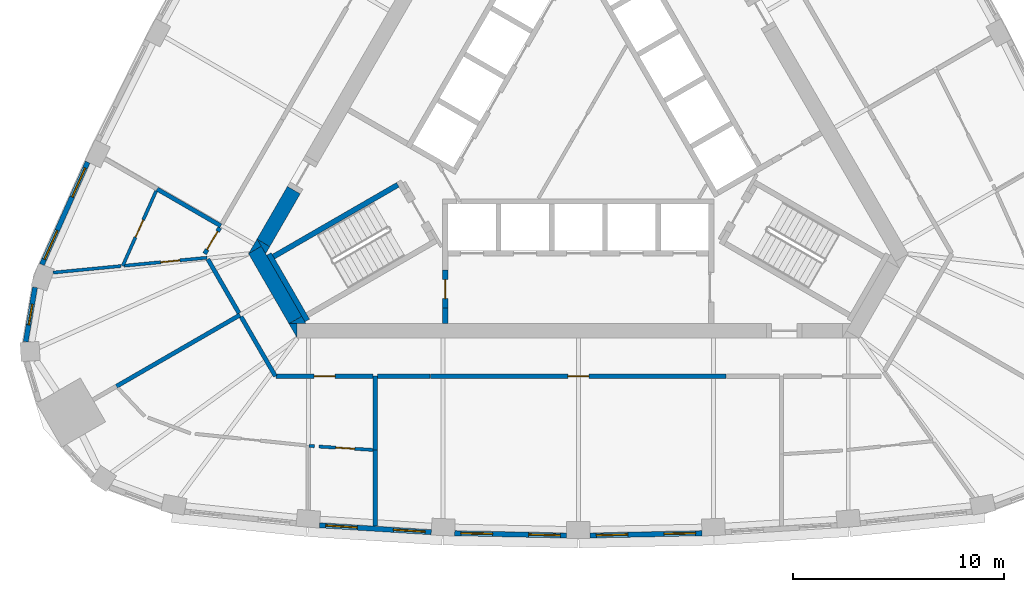
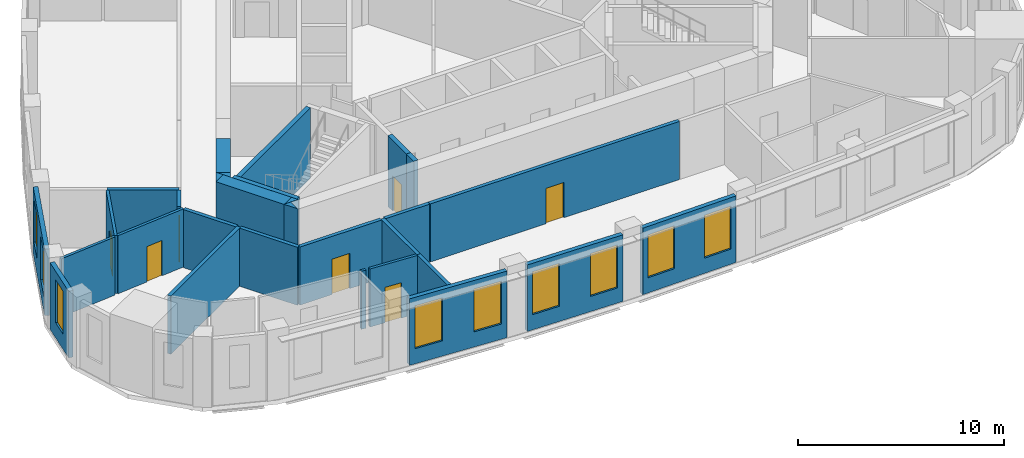
# One storey, part 3 of 10: 30 walls, 9 windows, 7 doors, 16 openings.
"""IFC4 building model written with IfcOpenShell, lengths in metres."""

from ifc_helpers import new_model, si_unit, direction, frame, frame_2d, origin, place, context, subcontext, project, spatial, polyline, rectangle, outline, extrude, material, layer, layer_set, type_object, element, fill, save


model = new_model("IFC4")

# Units and contexts
model_context = context("Model", 3, precision=1e-05, world=origin(), true_north=direction((0.0, 1.0)))
body_context = subcontext(model_context, "Body", "Model", "MODEL_VIEW")
ifc_project = project(units=[si_unit("LENGTHUNIT", "METRE"), si_unit("AREAUNIT", "SQUARE_METRE"), si_unit("VOLUMEUNIT", "CUBIC_METRE"), si_unit("PLANEANGLEUNIT", "RADIAN"), si_unit("MASSUNIT", "GRAM", prefix="KILO")], contexts=[model_context])

# Site, building, storey
site_placement = place(None, origin())
site = spatial("IfcSite", under=ifc_project, at=site_placement, CompositionType="ELEMENT")
building_placement = place(site_placement, origin())
building = spatial("IfcBuilding", under=site, at=building_placement, Name="Mestral Congress Tower", CompositionType="ELEMENT")
storey_placement = place(building_placement, frame((0.0, 0.0, 239.39990234375)))
storey = spatial("IfcBuildingStorey", under=building, at=storey_placement, Name="L56", CompositionType="ELEMENT", Elevation=239.39990234375)

# Walls
ifc_material_1 = material(Name="Concrete C60/75", Category="concrete")
ifc_layer_1 = layer(ifc_material_1, 0.699951171875)
ifc_layer_set_1 = layer_set([ifc_layer_1], Name="Concrete C60/75")
wall_type_1 = type_object("IfcWallType", Name="Core wall RC 700", PredefinedType="SOLIDWALL", material=ifc_layer_set_1)
placement = place(storey_placement, origin())
element("IfcWall", 1, at=placement, inside=storey, type_object=wall_type_1, Name="L56 core wall", PredefinedType="SOLIDWALL", context=body_context, shape_type="SweptSolid", body=[
    extrude(outline(polyline([(-13.7119140625, -9.64990234375), (-13.323974609375, -9.64990234375), (-13.323974609375, -10.322021484375), (-13.7119140625, -9.64990234375)])), origin(), (0.0, 0.0, 1.0), 4.2001953125),
])
wall_2_placement = place(storey_placement, frame((-13.40185546875, -9.4873046875, 0.0), z_axis=(0.0, 0.0, 1.0), x_axis=(-0.500020498207, 0.866013568815, 0.0)))
element("IfcWall", 2, at=wall_2_placement, inside=storey, type_object=wall_type_1, Name="L56 core wall", PredefinedType="SOLIDWALL", context=body_context, shape_type="SweptSolid", body=[
    extrude(rectangle(XDim=3.828857421875, YDim=0.699951171875, at=frame_2d((1.91455078125, 0.0))), origin(), (0.0, 0.0, 1.0), 4.2001953125),
])
element("IfcWall", 3, at=placement, inside=storey, type_object=wall_type_1, Name="L56 core wall", PredefinedType="SOLIDWALL", context=body_context, shape_type="SweptSolid", body=[
    extrude(outline(polyline([(-15.01416015625, -5.99462890625), (-15.611083984375, -6.33935546875), (-15.213134765625, -5.64990234375), (-15.01416015625, -5.99462890625)])), origin(), (0.0, 0.0, 1.0), 4.2001953125),
])
element("IfcWall", 4, at=placement, inside=storey, type_object=wall_type_1, Name="L56 core wall", PredefinedType="SOLIDWALL", context=body_context, shape_type="SweptSolid", body=[
    extrude(outline(polyline([(-12.90380859375, -9.64990234375), (-13.6796875, -9.64990234375), (-13.097900390625, -9.31396484375), (-12.90380859375, -9.64990234375)])), origin(), (0.0, 0.0, 1.0), 4.2001953125),
])
wall_5_placement = place(storey_placement, frame((-13.47509765625, -3.33935546875, 0.0), z_axis=(0.0, 0.0, 1.0), x_axis=(-0.499944726303, -0.866057313716, 0.0)))
element("IfcWall", 5, at=wall_5_placement, inside=storey, type_object=wall_type_1, Name="L56 core wall", PredefinedType="SOLIDWALL", context=body_context, shape_type="SweptSolid", body=[
    extrude(rectangle(XDim=2.884033203125, YDim=0.699951171875, at=frame_2d((1.44189453125, 0.0))), origin(), (0.0, 0.0, 1.0), 4.2001953125),
])
element("IfcWall", 6, at=placement, inside=storey, type_object=wall_type_1, Name="L56 core wall", PredefinedType="SOLIDWALL", context=body_context, shape_type="SweptSolid", body=[
    extrude(outline(polyline([(-14.80908203125, -6.35009765625), (-15.197021484375, -5.677978515625), (-14.614990234375, -6.013916015625), (-14.80908203125, -6.35009765625)])), origin(), (0.0, 0.0, 1.0), 4.2001953125),
])

# Wall, openings, windows
ifc_material_2 = material(Name="Precast concrete C40/50 with limestone facing", Category="masonry")
ifc_layer_2 = layer(ifc_material_2, 0.239990234375)
ifc_layer_set_2 = layer_set([ifc_layer_2], Name="Precast concrete C40/50 with limestone facing")
wall_type_2 = type_object("IfcWallType", Name="Facade stone wall 240", PredefinedType="SOLIDWALL", material=ifc_layer_set_2)
wall_7_placement = place(storey_placement, frame((-12.253173828125, -19.21337890625, 0.0), z_axis=(0.0, 0.0, 1.0), x_axis=(0.9980633213, -0.062206162685, 0.0)))
wall_7 = element("IfcWall", 7, at=wall_7_placement, inside=storey, type_object=wall_type_2, Name="Facade wall F0-01", PredefinedType="SOLIDWALL", context=body_context, shape_type="SweptSolid", body=[
    extrude(rectangle(XDim=5.29833984375, YDim=0.239990234375, at=frame_2d((2.649169921875, 0.0))), origin(), (0.0, 0.0, 1.0), 3.9501953125),
])
opening_1_placement = place(wall_7_placement, frame((0.29443359375, 0.0, 0.89990234375)))
opening_1 = element("IfcOpeningElement", 8, at=opening_1_placement, cuts=wall_7, Name="Opening W4", PredefinedType="OPENING", context=body_context, shape_type="SweptSolid", body=[
    extrude(rectangle(XDim=1.5, YDim=2.550048828125, at=frame_2d((0.75, 1.27490234375))), frame((0.0, 0.1298828125, 0.0), z_axis=(0.0, -1.0, 0.0), x_axis=(1.0, 0.0, 0.0)), (0.0, 0.0, 1.0), 0.260009765625),
])
opening_2_placement = place(wall_7_placement, frame((3.503662109375, 0.0, 0.89990234375)))
opening_2 = element("IfcOpeningElement", 9, at=opening_2_placement, cuts=wall_7, Name="Opening W4", PredefinedType="OPENING", context=body_context, shape_type="SweptSolid", body=[
    extrude(rectangle(XDim=1.5, YDim=2.550048828125, at=frame_2d((0.75, 1.27490234375))), frame((0.0, 0.1298828125, 0.0), z_axis=(0.0, -1.0, 0.0), x_axis=(1.0, 0.0, 0.0)), (0.0, 0.0, 1.0), 0.260009765625),
])
ifc_material_3 = material(Name="Clear low-emissivity double glazing", Category="glass")
window_type_1 = type_object("IfcWindowType", Name="Facade punched window 1500 x 2550 sill 900", PartitioningType="SINGLE_PANEL", PredefinedType="WINDOW", material=ifc_material_3)
window_1_placement = place(opening_1_placement, origin())
window_1 = element("IfcWindow", 10, at=window_1_placement, inside=storey, type_object=window_type_1, Name="Window F0-01a", OverallHeight=2.550048828125, OverallWidth=1.5, PartitioningType="SINGLE_PANEL", PredefinedType="WINDOW", context=body_context, shape_type="SweptSolid", body=[
    extrude(rectangle(XDim=1.5, YDim=2.550048828125, at=frame_2d((0.75, 1.27490234375))), frame((0.0, 0.0400390625, 0.0), z_axis=(0.0, -1.0, 0.0), x_axis=(1.0, 0.0, 0.0)), (0.0, 0.0, 1.0), 0.06005859375),
])
fill(opening_1, window_1)
window_2_placement = place(opening_2_placement, origin())
window_2 = element("IfcWindow", 11, at=window_2_placement, inside=storey, type_object=window_type_1, Name="Window F0-01b", OverallHeight=2.550048828125, OverallWidth=1.5, PartitioningType="SINGLE_PANEL", PredefinedType="WINDOW", context=body_context, shape_type="SweptSolid", body=[
    extrude(rectangle(XDim=1.5, YDim=2.550048828125, at=frame_2d((0.75, 1.27490234375))), frame((0.0, 0.0400390625, 0.0), z_axis=(0.0, -1.0, 0.0), x_axis=(1.0, 0.0, 0.0)), (0.0, 0.0, 1.0), 0.06005859375),
])
fill(opening_2, window_2)

wall_8_placement = place(storey_placement, frame((-5.853515625, -19.589111328125, 0.0), z_axis=(0.0, 0.0, 1.0), x_axis=(0.999784035184, -0.020781794712, 0.0)))
wall_8 = element("IfcWall", 12, at=wall_8_placement, inside=storey, type_object=wall_type_2, Name="Facade wall F0-02", PredefinedType="SOLIDWALL", context=body_context, shape_type="SweptSolid", body=[
    extrude(rectangle(XDim=5.29833984375, YDim=0.239990234375, at=frame_2d((2.649169921875, 0.0))), origin(), (0.0, 0.0, 1.0), 3.9501953125),
])
opening_3_placement = place(wall_8_placement, frame((0.29443359375, 0.0, 0.89990234375)))
opening_3 = element("IfcOpeningElement", 13, at=opening_3_placement, cuts=wall_8, Name="Opening W4", PredefinedType="OPENING", context=body_context, shape_type="SweptSolid", body=[
    extrude(rectangle(XDim=1.5, YDim=2.550048828125, at=frame_2d((0.75, 1.27490234375))), frame((0.0, 0.1298828125, 0.0), z_axis=(0.0, -1.0, 0.0), x_axis=(1.0, 0.0, 0.0)), (0.0, 0.0, 1.0), 0.260009765625),
])
opening_4_placement = place(wall_8_placement, frame((3.503662109375, 0.0, 0.89990234375)))
opening_4 = element("IfcOpeningElement", 14, at=opening_4_placement, cuts=wall_8, Name="Opening W4", PredefinedType="OPENING", context=body_context, shape_type="SweptSolid", body=[
    extrude(rectangle(XDim=1.5, YDim=2.550048828125, at=frame_2d((0.75, 1.27490234375))), frame((0.0, 0.1298828125, 0.0), z_axis=(0.0, -1.0, 0.0), x_axis=(1.0, 0.0, 0.0)), (0.0, 0.0, 1.0), 0.260009765625),
])
window_3_placement = place(opening_3_placement, origin())
window_3 = element("IfcWindow", 15, at=window_3_placement, inside=storey, type_object=window_type_1, Name="Window F0-02a", OverallHeight=2.550048828125, OverallWidth=1.5, PartitioningType="SINGLE_PANEL", PredefinedType="WINDOW", context=body_context, shape_type="SweptSolid", body=[
    extrude(rectangle(XDim=1.5, YDim=2.550048828125, at=frame_2d((0.75, 1.27490234375))), frame((0.0, 0.0400390625, 0.0), z_axis=(0.0, -1.0, 0.0), x_axis=(1.0, 0.0, 0.0)), (0.0, 0.0, 1.0), 0.06005859375),
])
fill(opening_3, window_3)
window_4_placement = place(opening_4_placement, origin())
window_4 = element("IfcWindow", 16, at=window_4_placement, inside=storey, type_object=window_type_1, Name="Window F0-02b", OverallHeight=2.550048828125, OverallWidth=1.5, PartitioningType="SINGLE_PANEL", PredefinedType="WINDOW", context=body_context, shape_type="SweptSolid", body=[
    extrude(rectangle(XDim=1.5, YDim=2.550048828125, at=frame_2d((0.75, 1.27490234375))), frame((0.0, 0.0400390625, 0.0), z_axis=(0.0, -1.0, 0.0), x_axis=(1.0, 0.0, 0.0)), (0.0, 0.0, 1.0), 0.06005859375),
])
fill(opening_4, window_4)

wall_9_placement = place(storey_placement, frame((0.556396484375, -19.69921875, 0.0), z_axis=(0.0, 0.0, 1.0), x_axis=(0.999784035184, 0.020781794712, 0.0)))
wall_9 = element("IfcWall", 17, at=wall_9_placement, inside=storey, type_object=wall_type_2, Name="Facade wall F0-03", PredefinedType="SOLIDWALL", context=body_context, shape_type="SweptSolid", body=[
    extrude(rectangle(XDim=5.29833984375, YDim=0.239990234375, at=frame_2d((2.649169921875, 0.0))), origin(), (0.0, 0.0, 1.0), 3.9501953125),
])
opening_5_placement = place(wall_9_placement, frame((0.29443359375, 0.0, 0.89990234375)))
opening_5 = element("IfcOpeningElement", 18, at=opening_5_placement, cuts=wall_9, Name="Opening W4", PredefinedType="OPENING", context=body_context, shape_type="SweptSolid", body=[
    extrude(rectangle(XDim=1.5, YDim=2.550048828125, at=frame_2d((0.75, 1.27490234375))), frame((0.0, 0.1298828125, 0.0), z_axis=(0.0, -1.0, 0.0), x_axis=(1.0, 0.0, 0.0)), (0.0, 0.0, 1.0), 0.260009765625),
])
opening_6_placement = place(wall_9_placement, frame((3.503662109375, 0.0, 0.89990234375)))
opening_6 = element("IfcOpeningElement", 19, at=opening_6_placement, cuts=wall_9, Name="Opening W4", PredefinedType="OPENING", context=body_context, shape_type="SweptSolid", body=[
    extrude(rectangle(XDim=1.5, YDim=2.550048828125, at=frame_2d((0.75, 1.27490234375))), frame((0.0, 0.1298828125, 0.0), z_axis=(0.0, -1.0, 0.0), x_axis=(1.0, 0.0, 0.0)), (0.0, 0.0, 1.0), 0.260009765625),
])
window_5_placement = place(opening_5_placement, origin())
window_5 = element("IfcWindow", 20, at=window_5_placement, inside=storey, type_object=window_type_1, Name="Window F0-03a", OverallHeight=2.550048828125, OverallWidth=1.5, PartitioningType="SINGLE_PANEL", PredefinedType="WINDOW", context=body_context, shape_type="SweptSolid", body=[
    extrude(rectangle(XDim=1.5, YDim=2.550048828125, at=frame_2d((0.75, 1.27490234375))), frame((0.0, 0.0400390625, 0.0), z_axis=(0.0, -1.0, 0.0), x_axis=(1.0, 0.0, 0.0)), (0.0, 0.0, 1.0), 0.06005859375),
])
fill(opening_5, window_5)
window_6_placement = place(opening_6_placement, origin())
window_6 = element("IfcWindow", 21, at=window_6_placement, inside=storey, type_object=window_type_1, Name="Window F0-03b", OverallHeight=2.550048828125, OverallWidth=1.5, PartitioningType="SINGLE_PANEL", PredefinedType="WINDOW", context=body_context, shape_type="SweptSolid", body=[
    extrude(rectangle(XDim=1.5, YDim=2.550048828125, at=frame_2d((0.75, 1.27490234375))), frame((0.0, 0.0400390625, 0.0), z_axis=(0.0, -1.0, 0.0), x_axis=(1.0, 0.0, 0.0)), (0.0, 0.0, 1.0), 0.06005859375),
])
fill(opening_6, window_6)

wall_10_placement = place(storey_placement, frame((-23.240478515625, -2.01123046875, 0.0), z_axis=(0.0, 0.0, 1.0), x_axis=(-0.407579651789, -0.913169659728, 0.0)))
wall_10 = element("IfcWall", 22, at=wall_10_placement, inside=storey, type_object=wall_type_2, Name="Facade wall F2-05", PredefinedType="SOLIDWALL", context=body_context, shape_type="SweptSolid", body=[
    extrude(rectangle(XDim=5.310791015625, YDim=0.239990234375, at=frame_2d((2.6552734375, 0.0))), origin(), (0.0, 0.0, 1.0), 3.9501953125),
])
opening_7_placement = place(wall_10_placement, frame((0.306396484375, 0.0, 0.89990234375)))
opening_7 = element("IfcOpeningElement", 23, at=opening_7_placement, cuts=wall_10, Name="Opening W4", PredefinedType="OPENING", context=body_context, shape_type="SweptSolid", body=[
    extrude(rectangle(XDim=1.5, YDim=2.550048828125, at=frame_2d((0.75, 1.27490234375))), frame((0.0, 0.1298828125, 0.0), z_axis=(0.0, -1.0, 0.0), x_axis=(1.0, 0.0, 0.0)), (0.0, 0.0, 1.0), 0.260009765625),
])
opening_8_placement = place(wall_10_placement, frame((3.539306640625, 0.0, 0.89990234375)))
opening_8 = element("IfcOpeningElement", 24, at=opening_8_placement, cuts=wall_10, Name="Opening W4", PredefinedType="OPENING", context=body_context, shape_type="SweptSolid", body=[
    extrude(rectangle(XDim=1.5, YDim=2.550048828125, at=frame_2d((0.75, 1.27490234375))), frame((0.0, 0.1298828125, 0.0), z_axis=(0.0, -1.0, 0.0), x_axis=(1.0, 0.0, 0.0)), (0.0, 0.0, 1.0), 0.260009765625),
])
window_7_placement = place(opening_7_placement, origin())
window_7 = element("IfcWindow", 25, at=window_7_placement, inside=storey, type_object=window_type_1, Name="Window F2-05a", OverallHeight=2.550048828125, OverallWidth=1.5, PartitioningType="SINGLE_PANEL", PredefinedType="WINDOW", context=body_context, shape_type="SweptSolid", body=[
    extrude(rectangle(XDim=1.5, YDim=2.550048828125, at=frame_2d((0.75, 1.27490234375))), frame((0.0, 0.0400390625, 0.0), z_axis=(0.0, -1.0, 0.0), x_axis=(1.0, 0.0, 0.0)), (0.0, 0.0, 1.0), 0.06005859375),
])
fill(opening_7, window_7)
window_8_placement = place(opening_8_placement, origin())
window_8 = element("IfcWindow", 26, at=window_8_placement, inside=storey, type_object=window_type_1, Name="Window F2-05b", OverallHeight=2.550048828125, OverallWidth=1.5, PartitioningType="SINGLE_PANEL", PredefinedType="WINDOW", context=body_context, shape_type="SweptSolid", body=[
    extrude(rectangle(XDim=1.5, YDim=2.550048828125, at=frame_2d((0.75, 1.27490234375))), frame((0.0, 0.0400390625, 0.0), z_axis=(0.0, -1.0, 0.0), x_axis=(1.0, 0.0, 0.0)), (0.0, 0.0, 1.0), 0.06005859375),
])
fill(opening_8, window_8)

# Wall, opening, window
wall_11_placement = place(storey_placement, frame((-25.734130859375, -7.94482421875, 0.0), z_axis=(0.0, 0.0, 1.0), x_axis=(-0.167660055546, -0.985844869021, 0.0)))
wall_11 = element("IfcWall", 27, at=wall_11_placement, inside=storey, type_object=wall_type_2, Name="Facade wall K2-0", PredefinedType="SOLIDWALL", context=body_context, shape_type="SweptSolid", body=[
    extrude(rectangle(XDim=2.609375, YDim=0.239990234375, at=frame_2d((1.3046875, 0.0))), origin(), (0.0, 0.0, 1.0), 3.9501953125),
])
opening_9_placement = place(wall_11_placement, frame((0.8046875, 0.0, 0.89990234375)))
opening_9 = element("IfcOpeningElement", 28, at=opening_9_placement, cuts=wall_11, Name="Opening W5", PredefinedType="OPENING", context=body_context, shape_type="SweptSolid", body=[
    extrude(rectangle(XDim=1.0, YDim=2.550048828125, at=frame_2d((0.5, 1.27490234375))), frame((0.0, 0.1298828125, 0.0), z_axis=(0.0, -1.0, 0.0), x_axis=(1.0, 0.0, 0.0)), (0.0, 0.0, 1.0), 0.260009765625),
])
window_type_2 = type_object("IfcWindowType", Name="Facade punched window 1000 x 2550 sill 900", PartitioningType="SINGLE_PANEL", PredefinedType="WINDOW", material=ifc_material_3)
window_9_placement = place(opening_9_placement, origin())
window_9 = element("IfcWindow", 29, at=window_9_placement, inside=storey, type_object=window_type_2, Name="Window K2-0", OverallHeight=2.550048828125, OverallWidth=1.0, PartitioningType="SINGLE_PANEL", PredefinedType="WINDOW", context=body_context, shape_type="SweptSolid", body=[
    extrude(rectangle(XDim=1.0, YDim=2.550048828125, at=frame_2d((0.5, 1.27490234375))), frame((0.0, 0.0400390625, 0.0), z_axis=(0.0, -1.0, 0.0), x_axis=(1.0, 0.0, 0.0)), (0.0, 0.0, 1.0), 0.06005859375),
])
fill(opening_9, window_9)

# Wall, opening, door
ifc_material_4 = material(Name="Plasterboard partition on steel studs", Category="steel")
ifc_layer_3 = layer(ifc_material_4, 0.14990234375)
ifc_layer_set_3 = layer_set([ifc_layer_3], Name="Plasterboard partition on steel studs")
wall_type_3 = type_object("IfcWallType", Name="Office partition 150", PredefinedType="PARTITIONING", material=ifc_layer_set_3)
wall_12_placement = place(storey_placement, frame((-21.57958984375, -6.926513671875, 0.0), z_axis=(0.0, 0.0, 1.0), x_axis=(0.407612492408, 0.913155001099, 0.0)))
wall_12 = element("IfcWall", 30, at=wall_12_placement, inside=storey, type_object=wall_type_3, Name="Partition", PredefinedType="PARTITIONING", context=body_context, shape_type="SweptSolid", body=[
    extrude(rectangle(XDim=3.88671875, YDim=0.14990234375, at=frame_2d((1.943359375, 0.0))), origin(), (0.0, 0.0, 1.0), 3.4501953125),
])
opening_10_placement = place(wall_12_placement, frame((1.486572265625, 0.0, 0.0)))
opening_10 = element("IfcOpeningElement", 31, at=opening_10_placement, cuts=wall_12, Name="Opening O09-016", PredefinedType="OPENING", context=body_context, shape_type="SweptSolid", body=[
    extrude(rectangle(XDim=0.89990234375, YDim=2.10009765625, at=frame_2d((0.449951171875, 1.050048828125))), frame((0.0, 0.0849609375, 0.0), z_axis=(0.0, -1.0, 0.0), x_axis=(1.0, 0.0, 0.0)), (0.0, 0.0, 1.0), 0.169921875),
])
ifc_material_5 = material(Name="Timber door set", Category="wood")
door_type_1 = type_object("IfcDoorType", Name="Office door 900x2100", OperationType="SINGLE_SWING_LEFT", PredefinedType="DOOR", material=ifc_material_5)
door_1_placement = place(opening_10_placement, origin())
door_1 = element("IfcDoor", 32, at=door_1_placement, inside=storey, type_object=door_type_1, Name="Door O09-016", OperationType="SINGLE_SWING_LEFT", OverallHeight=2.10009765625, OverallWidth=0.89990234375, PredefinedType="DOOR", context=body_context, shape_type="SweptSolid", body=[
    extrude(rectangle(XDim=0.89990234375, YDim=2.10009765625, at=frame_2d((0.449951171875, 1.050048828125))), frame((0.0, 0.02490234375, 0.0), z_axis=(0.0, -1.0, 0.0), x_axis=(1.0, 0.0, 0.0)), (0.0, 0.0, 1.0), 0.050048828125),
])
fill(opening_10, door_1)

# Wall
wall_13_placement = place(storey_placement, frame((-21.66552734375, -6.934814453125, 0.0), z_axis=(0.0, 0.0, 1.0), x_axis=(-0.995359155707, -0.096229679155, 0.0)))
element("IfcWall", 33, at=wall_13_placement, inside=storey, type_object=wall_type_3, Name="Partition", PredefinedType="PARTITIONING", context=body_context, shape_type="SweptSolid", body=[
    extrude(rectangle(XDim=3.219482421875, YDim=0.14990234375, at=frame_2d((1.60986328125, 0.0))), origin(), (0.0, 0.0, 1.0), 3.4501953125),
])

# Wall, opening, door
wall_14_placement = place(storey_placement, frame((-17.5859375, -6.540283203125, 0.0), z_axis=(0.0, 0.0, 1.0), x_axis=(-0.995356357863, -0.096258614479, 0.0)))
wall_14 = element("IfcWall", 34, at=wall_14_placement, inside=storey, type_object=wall_type_3, Name="Partition", PredefinedType="PARTITIONING", context=body_context, shape_type="SweptSolid", body=[
    extrude(rectangle(XDim=3.92626953125, YDim=0.14990234375, at=frame_2d((1.963134765625, 0.0))), origin(), (0.0, 0.0, 1.0), 3.4501953125),
])
opening_11_placement = place(wall_14_placement, frame((1.300048828125, 0.0, 0.0)))
opening_11 = element("IfcOpeningElement", 35, at=opening_11_placement, cuts=wall_14, Name="Opening O09-018", PredefinedType="OPENING", context=body_context, shape_type="SweptSolid", body=[
    extrude(rectangle(XDim=0.89990234375, YDim=2.10009765625, at=frame_2d((0.449951171875, 1.050048828125))), frame((0.0, 0.0849609375, 0.0), z_axis=(0.0, -1.0, 0.0), x_axis=(1.0, 0.0, 0.0)), (0.0, 0.0, 1.0), 0.169921875),
])
door_2_placement = place(opening_11_placement, origin())
door_2 = element("IfcDoor", 36, at=door_2_placement, inside=storey, type_object=door_type_1, Name="Door O09-018", OperationType="SINGLE_SWING_LEFT", OverallHeight=2.10009765625, OverallWidth=0.89990234375, PredefinedType="DOOR", context=body_context, shape_type="SweptSolid", body=[
    extrude(rectangle(XDim=0.89990234375, YDim=2.10009765625, at=frame_2d((0.449951171875, 1.050048828125))), frame((0.0, 0.02490234375, 0.0), z_axis=(0.0, -1.0, 0.0), x_axis=(1.0, 0.0, 0.0)), (0.0, 0.0, 1.0), 0.050048828125),
])
fill(opening_11, door_2)

# Wall
wall_15_placement = place(storey_placement, frame((-12.74755859375, -15.445068359375, 0.0), z_axis=(0.0, 0.0, 1.0), x_axis=(0.99468140225, -0.102999553487, 0.0)))
element("IfcWall", 37, at=wall_15_placement, inside=storey, type_object=wall_type_3, Name="Partition", PredefinedType="PARTITIONING", context=body_context, shape_type="SweptSolid", body=[
    extrude(rectangle(XDim=0.248779296875, YDim=0.14990234375, at=frame_2d((0.12451171875, 0.0))), origin(), (0.0, 0.0, 1.0), 3.4501953125),
])

# Wall, opening, door
wall_16_placement = place(storey_placement, frame((-9.7197265625, -15.64404296875, 0.0), z_axis=(0.0, 0.0, 1.0), x_axis=(-0.998064382534, 0.062189133425, 0.0)))
wall_16 = element("IfcWall", 38, at=wall_16_placement, inside=storey, type_object=wall_type_3, Name="Partition", PredefinedType="PARTITIONING", context=body_context, shape_type="SweptSolid", body=[
    extrude(rectangle(XDim=2.5712890625, YDim=0.14990234375, at=frame_2d((1.28564453125, 0.0))), origin(), (0.0, 0.0, 1.0), 3.4501953125),
])
opening_12_placement = place(wall_16_placement, frame((0.871337890625, 0.0, 0.0)))
opening_12 = element("IfcOpeningElement", 39, at=opening_12_placement, cuts=wall_16, Name="Opening O09-020", PredefinedType="OPENING", context=body_context, shape_type="SweptSolid", body=[
    extrude(rectangle(XDim=0.89990234375, YDim=2.10009765625, at=frame_2d((0.449951171875, 1.050048828125))), frame((0.0, 0.0849609375, 0.0), z_axis=(0.0, -1.0, 0.0), x_axis=(1.0, 0.0, 0.0)), (0.0, 0.0, 1.0), 0.169921875),
])
door_3_placement = place(opening_12_placement, origin())
door_3 = element("IfcDoor", 40, at=door_3_placement, inside=storey, type_object=door_type_1, Name="Door O09-020", OperationType="SINGLE_SWING_RIGHT", OverallHeight=2.10009765625, OverallWidth=0.89990234375, PredefinedType="DOOR", context=body_context, shape_type="SweptSolid", body=[
    extrude(rectangle(XDim=0.89990234375, YDim=2.10009765625, at=frame_2d((0.449951171875, 1.050048828125))), frame((0.0, 0.02490234375, 0.0), z_axis=(0.0, -1.0, 0.0), x_axis=(1.0, 0.0, 0.0)), (0.0, 0.0, 1.0), 0.050048828125),
])
fill(opening_12, door_3)

# Walls
ifc_material_6 = material(Name="Dense masonry wall, plastered", Category="masonry")
ifc_layer_4 = layer(ifc_material_6, 0.199951171875)
ifc_layer_set_4 = layer_set([ifc_layer_4], Name="Dense masonry wall, plastered")
wall_type_4 = type_object("IfcWallType", Name="Office tenancy wall 200", PredefinedType="PARTITIONING", material=ifc_layer_set_4)
wall_17_placement = place(storey_placement, frame((-9.61962890625, -19.25732421875, 0.0), z_axis=(0.0, 0.0, 1.0), x_axis=(0.0, 1.0, 0.0)))
element("IfcWall", 41, at=wall_17_placement, inside=storey, type_object=wall_type_4, Name="Tenancy wall", PredefinedType="PARTITIONING", context=body_context, shape_type="SweptSolid", body=[
    extrude(rectangle(XDim=3.611083984375, YDim=0.199951171875, at=frame_2d((1.8056640625, 0.0))), origin(), (0.0, 0.0, 1.0), 3.4501953125),
])
wall_18_placement = place(storey_placement, frame((-9.61962890625, -15.654296875, 0.0), z_axis=(0.0, 0.0, 1.0), x_axis=(0.0, 1.0, 0.0)))
element("IfcWall", 42, at=wall_18_placement, inside=storey, type_object=wall_type_4, Name="Tenancy wall", PredefinedType="PARTITIONING", context=body_context, shape_type="SweptSolid", body=[
    extrude(rectangle(XDim=3.50439453125, YDim=0.199951171875, at=frame_2d((1.752197265625, 0.0))), origin(), (0.0, 0.0, 1.0), 3.4501953125),
])

# Wall, opening, door
wall_19_placement = place(storey_placement, frame((-7.0, -12.14990234375, 0.0), z_axis=(0.0, 0.0, 1.0), x_axis=(1.0, 0.0, 0.0)))
wall_19 = element("IfcWall", 43, at=wall_19_placement, inside=storey, type_object=wall_type_4, Name="Tenancy wall", PredefinedType="PARTITIONING", context=body_context, shape_type="SweptSolid", body=[
    extrude(rectangle(XDim=14.0, YDim=0.199951171875, at=frame_2d((7.0, 0.0))), origin(), (0.0, 0.0, 1.0), 3.4501953125),
])
opening_13_placement = place(wall_19_placement, frame((6.5, 0.0, 0.0)))
opening_13 = element("IfcOpeningElement", 44, at=opening_13_placement, cuts=wall_19, Name="Opening O09-001", PredefinedType="OPENING", context=body_context, shape_type="SweptSolid", body=[
    extrude(rectangle(XDim=1.0, YDim=2.10009765625, at=frame_2d((0.5, 1.050048828125))), frame((0.0, 0.10986328125, 0.0), z_axis=(0.0, -1.0, 0.0), x_axis=(1.0, 0.0, 0.0)), (0.0, 0.0, 1.0), 0.219970703125),
])
ifc_material_7 = material(Name="Fire-rated timber door set", Category="wood")
door_type_2 = type_object("IfcDoorType", Name="Office tenancy entrance door 1000x2100", OperationType="SINGLE_SWING_LEFT", PredefinedType="DOOR", material=ifc_material_7)
door_4_placement = place(opening_13_placement, origin())
door_4 = element("IfcDoor", 45, at=door_4_placement, inside=storey, type_object=door_type_2, Name="Door O09-001", OperationType="SINGLE_SWING_RIGHT", OverallHeight=2.10009765625, OverallWidth=1.0, PredefinedType="DOOR", context=body_context, shape_type="SweptSolid", body=[
    extrude(rectangle(XDim=1.0, YDim=2.10009765625, at=frame_2d((0.5, 1.050048828125))), frame((0.0, 0.02490234375, 0.0), z_axis=(0.0, -1.0, 0.0), x_axis=(1.0, 0.0, 0.0)), (0.0, 0.0, 1.0), 0.050048828125),
])
fill(opening_13, door_4)

# Walls
wall_20_placement = place(storey_placement, frame((-9.519775390625, -12.14990234375, 0.0), z_axis=(0.0, 0.0, 1.0), x_axis=(1.0, 0.0, 0.0)))
element("IfcWall", 46, at=wall_20_placement, inside=storey, type_object=wall_type_4, Name="Tenancy wall", PredefinedType="PARTITIONING", context=body_context, shape_type="SweptSolid", body=[
    extrude(rectangle(XDim=2.48974609375, YDim=0.199951171875, at=frame_2d((1.244873046875, 0.0))), origin(), (0.0, 0.0, 1.0), 3.4501953125),
])
wall_21_placement = place(storey_placement, frame((-16.93359375, -5.02978515625, 0.0), z_axis=(0.0, 0.0, 1.0), x_axis=(-0.866031916153, 0.499988720078, 0.0)))
element("IfcWall", 47, at=wall_21_placement, inside=storey, type_object=wall_type_4, Name="Tenancy wall", PredefinedType="PARTITIONING", context=body_context, shape_type="SweptSolid", body=[
    extrude(rectangle(XDim=3.4921875, YDim=0.199951171875, at=frame_2d((1.74609375, 0.0))), origin(), (0.0, 0.0, 1.0), 3.4501953125),
])

# Wall, opening, door
wall_22_placement = place(storey_placement, frame((-16.9833984375, -5.1162109375, 0.0), z_axis=(0.0, 0.0, 1.0), x_axis=(-0.500009219579, -0.866020080793, 0.0)))
wall_22 = element("IfcWall", 48, at=wall_22_placement, inside=storey, type_object=wall_type_4, Name="Tenancy wall", PredefinedType="PARTITIONING", context=body_context, shape_type="SweptSolid", body=[
    extrude(rectangle(XDim=1.4248046875, YDim=0.199951171875, at=frame_2d((0.71240234375, 0.0))), origin(), (0.0, 0.0, 1.0), 3.4501953125),
])
opening_14_placement = place(wall_22_placement, frame((0.199951171875, 0.0, 0.0)))
opening_14 = element("IfcOpeningElement", 49, at=opening_14_placement, cuts=wall_22, Name="Opening O09-017", PredefinedType="OPENING", context=body_context, shape_type="SweptSolid", body=[
    extrude(rectangle(XDim=1.0, YDim=2.10009765625, at=frame_2d((0.5, 1.050048828125))), frame((0.0, 0.10986328125, 0.0), z_axis=(0.0, -1.0, 0.0), x_axis=(1.0, 0.0, 0.0)), (0.0, 0.0, 1.0), 0.219970703125),
])
door_5_placement = place(opening_14_placement, origin())
door_5 = element("IfcDoor", 50, at=door_5_placement, inside=storey, type_object=door_type_2, Name="Door O09-017", OperationType="SINGLE_SWING_LEFT", OverallHeight=2.10009765625, OverallWidth=1.0, PredefinedType="DOOR", context=body_context, shape_type="SweptSolid", body=[
    extrude(rectangle(XDim=1.0, YDim=2.10009765625, at=frame_2d((0.5, 1.050048828125))), frame((0.0, 0.02490234375, 0.0), z_axis=(0.0, -1.0, 0.0), x_axis=(1.0, 0.0, 0.0)), (0.0, 0.0, 1.0), 0.050048828125),
])
fill(opening_14, door_5)

# Walls
wall_23_placement = place(storey_placement, frame((-16.021484375, -9.25, 0.0), z_axis=(0.0, 0.0, 1.0), x_axis=(-0.86602692059, -0.499997372806, 0.0)))
element("IfcWall", 51, at=wall_23_placement, inside=storey, type_object=wall_type_4, Name="Tenancy wall", PredefinedType="PARTITIONING", context=body_context, shape_type="SweptSolid", body=[
    extrude(rectangle(XDim=6.7646484375, YDim=0.199951171875, at=frame_2d((3.38232421875, 0.0))), origin(), (0.0, 0.0, 1.0), 3.4501953125),
])
wall_24_placement = place(storey_placement, frame((-17.544677734375, -6.61181640625, 0.0), z_axis=(0.0, 0.0, 1.0), x_axis=(0.500006981563, -0.86602137294, 0.0)))
element("IfcWall", 52, at=wall_24_placement, inside=storey, type_object=wall_type_4, Name="Tenancy wall", PredefinedType="PARTITIONING", context=body_context, shape_type="SweptSolid", body=[
    extrude(rectangle(XDim=2.9462890625, YDim=0.199951171875, at=frame_2d((1.47314453125, 0.0))), origin(), (0.0, 0.0, 1.0), 3.4501953125),
])
wall_25_placement = place(storey_placement, frame((-15.971435546875, -9.336669921875, 0.0), z_axis=(0.0, 0.0, 1.0), x_axis=(0.500010870188, -0.866019127788, 0.0)))
element("IfcWall", 53, at=wall_25_placement, inside=storey, type_object=wall_type_4, Name="Tenancy wall", PredefinedType="PARTITIONING", context=body_context, shape_type="SweptSolid", body=[
    extrude(rectangle(XDim=3.24853515625, YDim=0.199951171875, at=frame_2d((1.624267578125, 0.0))), origin(), (0.0, 0.0, 1.0), 3.4501953125),
])

# Wall, opening, door
wall_26_placement = place(storey_placement, frame((-14.317138671875, -12.14990234375, 0.0), z_axis=(0.0, 0.0, 1.0), x_axis=(1.0, 0.0, 0.0)))
wall_26 = element("IfcWall", 54, at=wall_26_placement, inside=storey, type_object=wall_type_4, Name="Tenancy wall", PredefinedType="PARTITIONING", context=body_context, shape_type="SweptSolid", body=[
    extrude(rectangle(XDim=4.597412109375, YDim=0.199951171875, at=frame_2d((2.298828125, 0.0))), origin(), (0.0, 0.0, 1.0), 3.4501953125),
])
opening_15_placement = place(wall_26_placement, frame((1.800048828125, 0.0, 0.0)))
opening_15 = element("IfcOpeningElement", 55, at=opening_15_placement, cuts=wall_26, Name="Opening O09-021", PredefinedType="OPENING", context=body_context, shape_type="SweptSolid", body=[
    extrude(rectangle(XDim=1.0, YDim=2.10009765625, at=frame_2d((0.5, 1.050048828125))), frame((0.0, 0.10986328125, 0.0), z_axis=(0.0, -1.0, 0.0), x_axis=(1.0, 0.0, 0.0)), (0.0, 0.0, 1.0), 0.219970703125),
])
door_6_placement = place(opening_15_placement, origin())
door_6 = element("IfcDoor", 56, at=door_6_placement, inside=storey, type_object=door_type_2, Name="Door O09-021", OperationType="SINGLE_SWING_RIGHT", OverallHeight=2.10009765625, OverallWidth=1.0, PredefinedType="DOOR", context=body_context, shape_type="SweptSolid", body=[
    extrude(rectangle(XDim=1.0, YDim=2.10009765625, at=frame_2d((0.5, 1.050048828125))), frame((0.0, 0.02490234375, 0.0), z_axis=(0.0, -1.0, 0.0), x_axis=(1.0, 0.0, 0.0)), (0.0, 0.0, 1.0), 0.050048828125),
])
fill(opening_15, door_6)

# Wall
ifc_layer_5 = layer(ifc_material_1, 0.25)
ifc_layer_set_5 = layer_set([ifc_layer_5], Name="Concrete C60/75")
wall_type_5 = type_object("IfcWallType", Name="Shaft wall RC 250", PredefinedType="SOLIDWALL", material=ifc_layer_set_5)
wall_27_placement = place(storey_placement, frame((-6.300048828125, -8.9248046875, 0.0), z_axis=(0.0, 0.0, 1.0), x_axis=(0.0, -1.0, 0.0)))
element("IfcWall", 57, at=wall_27_placement, inside=storey, type_object=wall_type_5, Name="L56 core wall", PredefinedType="SOLIDWALL", context=body_context, shape_type="SweptSolid", body=[
    extrude(rectangle(XDim=0.72509765625, YDim=0.25, at=frame_2d((0.362548828125, 0.0))), origin(), (0.0, 0.0, 1.0), 4.2001953125),
])

# Wall, opening, door
wall_28_placement = place(storey_placement, frame((-6.300048828125, -7.12451171875, 0.0), z_axis=(0.0, 0.0, 1.0), x_axis=(0.0, -1.0, 0.0)))
wall_28 = element("IfcWall", 58, at=wall_28_placement, inside=storey, type_object=wall_type_5, Name="L56 door wall", PredefinedType="SOLIDWALL", context=body_context, shape_type="SweptSolid", body=[
    extrude(rectangle(XDim=1.800048828125, YDim=0.25, at=frame_2d((0.89990234375, 0.0))), origin(), (0.0, 0.0, 1.0), 4.2001953125),
])
opening_16_placement = place(wall_28_placement, frame((0.449951171875, 0.0, 0.0)))
opening_16 = element("IfcOpeningElement", 59, at=opening_16_placement, cuts=wall_28, Name="Opening TD3", PredefinedType="OPENING", context=body_context, shape_type="SweptSolid", body=[
    extrude(rectangle(XDim=0.89990234375, YDim=2.10009765625, at=frame_2d((0.449951171875, 1.050048828125))), frame((0.0, 0.135009765625, 0.0), z_axis=(0.0, -1.0, 0.0), x_axis=(1.0, 0.0, 0.0)), (0.0, 0.0, 1.0), 0.27001953125),
])
ifc_material_8 = material(Name="Fire-rated steel door set", Category="steel")
door_type_3 = type_object("IfcDoorType", Name="Core door SR 900x2100", OperationType="SINGLE_SWING_LEFT", PredefinedType="DOOR", material=ifc_material_8)
door_7_placement = place(opening_16_placement, origin())
door_7 = element("IfcDoor", 60, at=door_7_placement, inside=storey, type_object=door_type_3, Name="Door TD3", OperationType="SINGLE_SWING_LEFT", OverallHeight=2.10009765625, OverallWidth=0.89990234375, PredefinedType="DOOR", context=body_context, shape_type="SweptSolid", body=[
    extrude(rectangle(XDim=0.89990234375, YDim=2.10009765625, at=frame_2d((0.449951171875, 1.050048828125))), frame((0.0, 0.02490234375, 0.0), z_axis=(0.0, -1.0, 0.0), x_axis=(1.0, 0.0, 0.0)), (0.0, 0.0, 1.0), 0.050048828125),
])
fill(opening_16, door_7)

# Walls
ifc_layer_6 = layer(ifc_material_1, 0.25)
ifc_layer_set_6 = layer_set([ifc_layer_6], Name="Concrete C60/75")
wall_type_6 = type_object("IfcWallType", Name="Stair wall RC 250", PredefinedType="SOLIDWALL", material=ifc_layer_set_6)
wall_29_placement = place(storey_placement, frame((-12.839599609375, -9.510986328125, 0.0), z_axis=(0.0, 0.0, 1.0), x_axis=(-0.499997733992, 0.866026712061, 0.0)))
element("IfcWall", 61, at=wall_29_placement, inside=storey, type_object=wall_type_6, Name="L56 core wall", PredefinedType="SOLIDWALL", context=body_context, shape_type="SweptSolid", body=[
    extrude(rectangle(XDim=3.6337890625, YDim=0.25, at=frame_2d((1.81689453125, 0.0))), origin(), (0.0, 0.0, 1.0), 4.2001953125),
])
wall_30_placement = place(storey_placement, frame((-14.43994140625, -6.489501953125, 0.0), z_axis=(0.0, 0.0, 1.0), x_axis=(0.866022966069, 0.500004222222, 0.0)))
element("IfcWall", 62, at=wall_30_placement, inside=storey, type_object=wall_type_6, Name="L56 core wall", PredefinedType="SOLIDWALL", context=body_context, shape_type="SweptSolid", body=[
    extrude(rectangle(XDim=6.80029296875, YDim=0.25, at=frame_2d((3.400146484375, 0.0))), origin(), (0.0, 0.0, 1.0), 4.2001953125),
])

save(model, "model.ifc")
